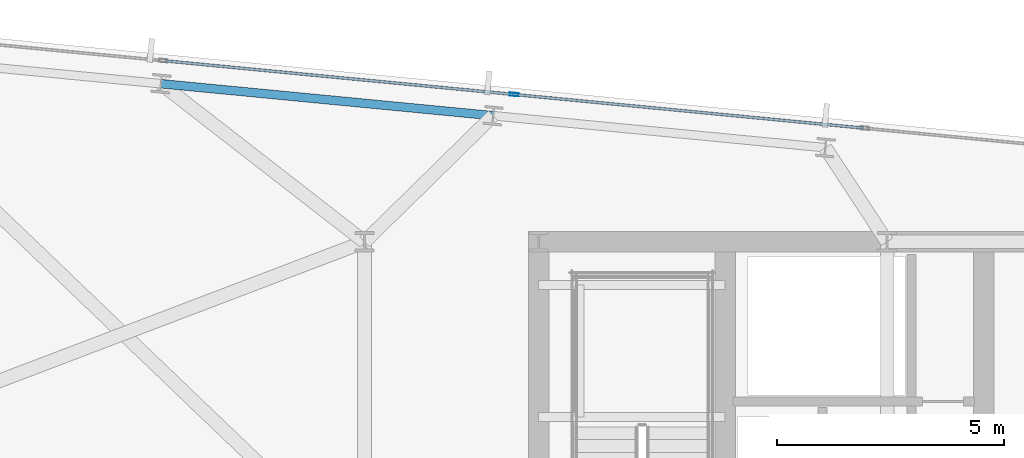
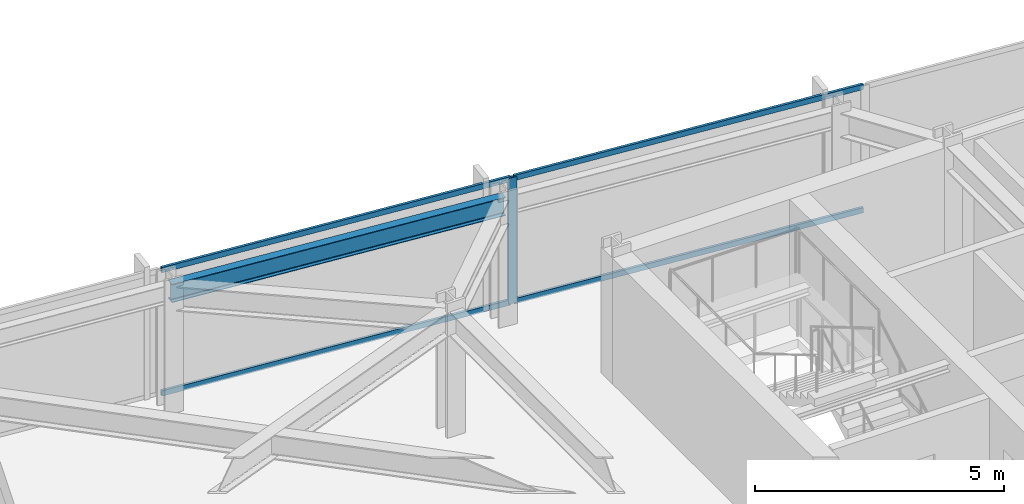
# One storey, part 25 of 37: 5 members, 1 beam, 1 element without a shape of its own.
"""IFC4 building model written with IfcOpenShell, lengths in metres."""

from ifc_helpers import new_model, si_unit, direction, frame, origin, origin_2d, place, context, subcontext, project, spatial, hollow_rectangle, i_section, extrude, material, material_profile, profile_set, type_object, element, aggregate, save


model = new_model("IFC4")

# Units and contexts
model_context = context("Model", 3, precision=1e-05, world=origin(), true_north=direction((0.0, 1.0)))
body_context = subcontext(model_context, "Body", "Model", "MODEL_VIEW")
ifc_project = project(units=[si_unit("LENGTHUNIT", "METRE"), si_unit("AREAUNIT", "SQUARE_METRE"), si_unit("VOLUMEUNIT", "CUBIC_METRE"), si_unit("PLANEANGLEUNIT", "RADIAN"), si_unit("MASSUNIT", "GRAM", prefix="KILO")], contexts=[model_context])

# Site, building, storey
site_placement = place(None, origin())
site = spatial("IfcSite", under=ifc_project, at=site_placement, CompositionType="ELEMENT")
building_placement = place(site_placement, origin())
building = spatial("IfcBuilding", under=site, at=building_placement, Name="Yelkora Congress Tower", CompositionType="ELEMENT")
storey_placement = place(building_placement, frame((0.0, 0.0, 168.800048828125)))
storey = spatial("IfcBuildingStorey", under=building, at=storey_placement, Name="L46", CompositionType="ELEMENT", Elevation=168.800048828125)

# Beam
ifc_material_1 = material(Name="Steel S355J2", Category="steel")
ifc_material_profile_1 = material_profile(ifc_material_1, i_section(OverallWidth=0.18994140625, OverallDepth=0.449951171875, WebThickness=0.009521484375, FlangeThickness=0.0146484375, FilletRadius=0.02099609375, at=origin_2d()), Name="IPE 450")
ifc_profile_set_1 = profile_set([ifc_material_profile_1], Name="Steel S355J2")
beam_type = type_object("IfcBeamType", Name="BM-SPAN-IPE450", PredefinedType="SPANDREL", material=ifc_profile_set_1)
beam_placement = place(storey_placement, frame((22.035400390625, 48.980224609375, 2.85498046875), z_axis=(-0.995393938538, 0.095869218844, 0.0), x_axis=(-0.095869218844, -0.995393938538, 0.0)))
element("IfcBeam", 1, at=beam_placement, inside=storey, type_object=beam_type, Name="L46 Perimeter Beam 14", PredefinedType="SPANDREL", context=body_context, shape_type="SweptSolid", body=[
    extrude(i_section(OverallWidth=0.18994140625, OverallDepth=0.449951171875, WebThickness=0.009521484375, FlangeThickness=0.0146484375, FilletRadius=0.02099609375, at=origin_2d()), origin(), (0.0, 0.0, 1.0), 7.357177734375),
])

# Curtain wall, members
ifc_material_2 = material(Name="Anodised aluminium and insulated glass", Category="aluminium")
curtain_wall_type = type_object("IfcCurtainWallType", Name="CW-SYS-B3", PredefinedType="NOTDEFINED", material=ifc_material_2)
curtain_wall_placement = place(storey_placement, origin())
curtain_wall = element("IfcCurtainWall", 2, at=curtain_wall_placement, inside=storey, type_object=curtain_wall_type, Name="L46 Unitised Curtain Wall 10 (1)", PredefinedType="NOTDEFINED")
ifc_material_3 = material(Name="Anodised aluminium 6063-T6", Category="aluminium")
ifc_material_profile_2 = material_profile(ifc_material_3, hollow_rectangle(XDim=0.070068359375, YDim=0.18994140625, WallThickness=0.00390625, at=origin_2d()), Name="ALU 70x190x4")
ifc_profile_set_2 = profile_set([ifc_material_profile_2], Name="Anodised aluminium 6063-T6")
member_type_1 = type_object("IfcMemberType", Name="MEM-ML-B3", PredefinedType="MULLION", material=ifc_profile_set_2)
member_1_placement = place(storey_placement, frame((22.496826171875, 49.4482421875, 0.0), z_axis=(0.0, 0.0, 1.0), x_axis=(0.095844761168, 0.995396293823, 0.0)))
member_1 = element("IfcMember", 3, at=member_1_placement, type_object=member_type_1, Name="CW-B3 mullion 3", PredefinedType="MULLION", context=body_context, shape_type="SweptSolid", body=[
    extrude(hollow_rectangle(XDim=0.070068359375, YDim=0.18994140625, WallThickness=0.00390625, at=origin_2d()), origin(), (0.0, 0.0, 1.0), 3.079833984375),
])
ifc_material_profile_3 = material_profile(ifc_material_3, hollow_rectangle(XDim=0.06005859375, YDim=0.1298828125, WallThickness=0.00390625, at=origin_2d()), Name="ALU 60x130x4")
ifc_profile_set_3 = profile_set([ifc_material_profile_3], Name="Anodised aluminium 6063-T6")
member_type_2 = type_object("IfcMemberType", Name="MEM-TR-B3", PredefinedType="USERDEFINED", material=ifc_profile_set_3)
member_2_placement = place(storey_placement, frame((14.798095703125, 50.189697265625, 0.030029296875), z_axis=(0.995395016973, -0.095858020971, 0.0), x_axis=(0.095858020971, 0.995395016973, 0.0)))
member_2 = element("IfcMember", 4, at=member_2_placement, type_object=member_type_2, Name="CW-B3 transom 2.1", ObjectType="TRANSOM", PredefinedType="USERDEFINED", context=body_context, shape_type="SweptSolid", body=[
    extrude(hollow_rectangle(XDim=0.06005859375, YDim=0.1298828125, WallThickness=0.00390625, at=origin_2d()), origin(), (0.0, 0.0, 1.0), 7.69921875),
])
member_3_placement = place(storey_placement, frame((14.798095703125, 50.189697265625, 3.050048828125), z_axis=(0.995395016973, -0.095858020971, 0.0), x_axis=(0.095858020971, 0.995395016973, 0.0)))
member_3 = element("IfcMember", 5, at=member_3_placement, type_object=member_type_2, Name="CW-B3 transom 2.2", ObjectType="TRANSOM", PredefinedType="USERDEFINED", context=body_context, shape_type="SweptSolid", body=[
    extrude(hollow_rectangle(XDim=0.06005859375, YDim=0.1298828125, WallThickness=0.00390625, at=origin_2d()), origin(), (0.0, 0.0, 1.0), 7.69921875),
])
member_4_placement = place(storey_placement, frame((22.531494140625, 49.44482421875, 0.030029296875), z_axis=(0.995398333273, -0.095823578082, 0.0), x_axis=(0.095823578082, 0.995398333273, 0.0)))
member_4 = element("IfcMember", 6, at=member_4_placement, type_object=member_type_2, Name="CW-B3 transom 3.1", ObjectType="TRANSOM", PredefinedType="USERDEFINED", context=body_context, shape_type="SweptSolid", body=[
    extrude(hollow_rectangle(XDim=0.06005859375, YDim=0.1298828125, WallThickness=0.00390625, at=origin_2d()), origin(), (0.0, 0.0, 1.0), 7.699462890625),
])
member_5_placement = place(storey_placement, frame((22.531494140625, 49.44482421875, 3.050048828125), z_axis=(0.995398333273, -0.095823578082, 0.0), x_axis=(0.095823578082, 0.995398333273, 0.0)))
member_5 = element("IfcMember", 7, at=member_5_placement, type_object=member_type_2, Name="CW-B3 transom 3.2", ObjectType="TRANSOM", PredefinedType="USERDEFINED", context=body_context, shape_type="SweptSolid", body=[
    extrude(hollow_rectangle(XDim=0.06005859375, YDim=0.1298828125, WallThickness=0.00390625, at=origin_2d()), origin(), (0.0, 0.0, 1.0), 7.699462890625),
])
aggregate(curtain_wall, [member_1, member_2, member_3, member_4, member_5])

save(model, "model.ifc")
